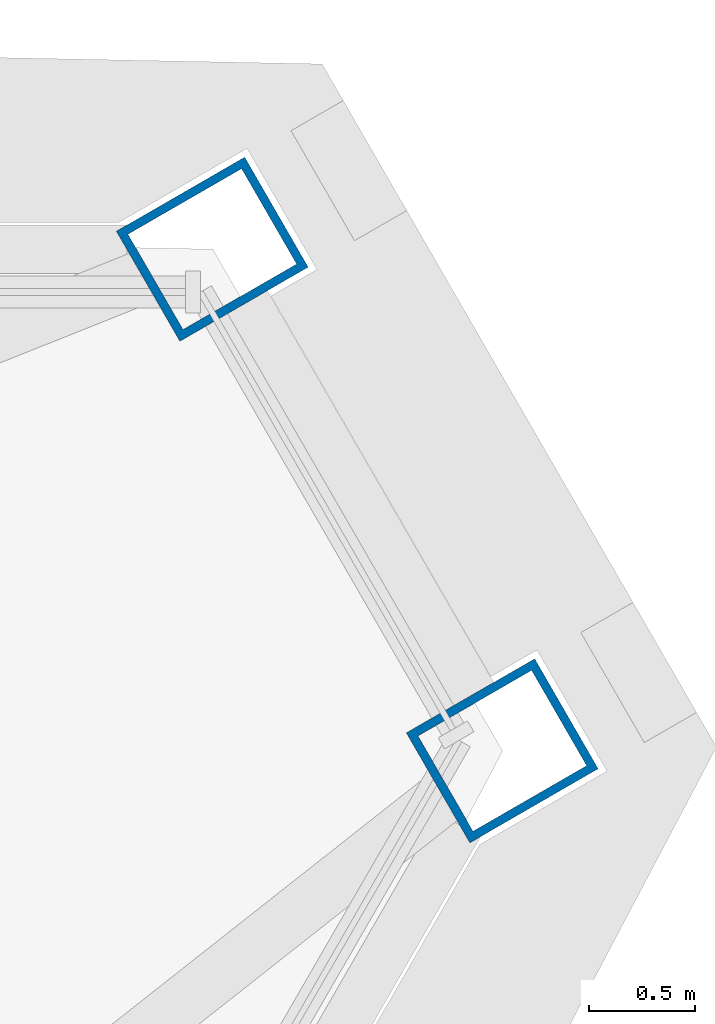
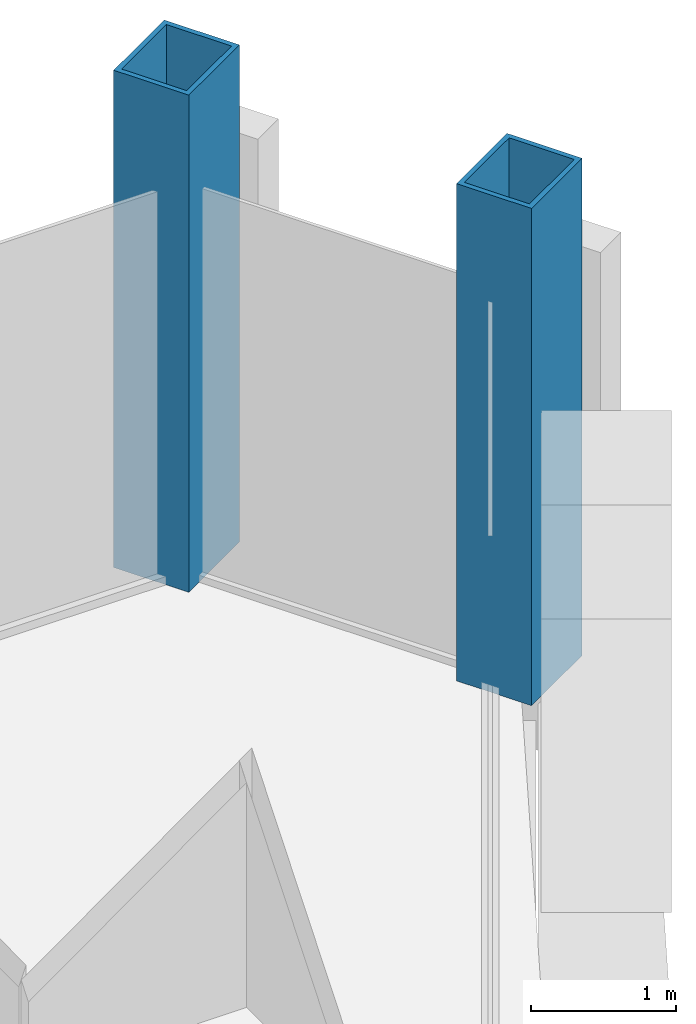
# One storey, part 2 of 13: 2 columns.
"""IFC4 building model written with IfcOpenShell, lengths in metres."""

import ifcopenshell
import ifcopenshell.guid

model = None  # the IFC model being written
_history = None  # IfcOwnerHistory: only IFC2X3 demands one
_inside = {}  # id of a spatial element -> (the spatial element, [elements in it])
_under = {}  # id of a project, library or spatial element -> (it, [spatial elements below it])
_declared = {}  # id of a project -> (the project, [libraries it declares])
_typed = {}  # id of a type object -> (the type object, [elements of that type])
_made_of = {}  # id of a material, layer set ... -> (it, [elements and type objects made of it])


def new_model(schema):
    """Start an empty IFC model of exactly this schema.

    Asked for "IFC4X3", IfcOpenShell would pick the latest addendum, in which some entities
    have other attributes; the version numbers below select the first issue.
    IFC2X3 requires an IfcOwnerHistory on every rooted entity: one is made here for all.
    """
    global model, _history
    if schema == "IFC4X3":
        model = ifcopenshell.file(schema_version=(4, 3, 0, 0))
    else:
        model = ifcopenshell.file(schema=schema)
    _inside.clear()
    _under.clear()
    _declared.clear()
    _typed.clear()
    _made_of.clear()
    _history = None
    if model.schema == "IFC2X3":
        org = make("IfcOrganization", Name="unknown")
        user = make(
            "IfcPersonAndOrganization",
            ThePerson=make("IfcPerson", FamilyName="unknown"),
            TheOrganization=org,
        )
        app = make(
            "IfcApplication",
            ApplicationDeveloper=org,
            Version="unknown",
            ApplicationFullName="unknown",
            ApplicationIdentifier="unknown",
        )
        _history = make(
            "IfcOwnerHistory",
            OwningUser=user,
            OwningApplication=app,
            ChangeAction="ADDED",
            CreationDate=0,
        )
    return model


def make(cls, **values):
    """One entity of the class cls with the attributes given. An attribute that is None is left unset."""
    return model.create_entity(
        cls, **{name: value for name, value in values.items() if value is not None}
    )


def rooted(cls, **values):
    """An entity with a GlobalId (a new one), such as an element, a storey or a relation."""
    return make(cls, GlobalId=ifcopenshell.guid.new(), OwnerHistory=_history, **values)


def si_unit(unit_type, name, prefix=None):
    """IfcSIUnit, for example si_unit("LENGTHUNIT", "METRE", prefix="MILLI")."""
    return make("IfcSIUnit", UnitType=unit_type, Prefix=prefix, Name=name)


def assignment(units):
    """IfcUnitAssignment: the units of a project."""
    return None if units is None else make("IfcUnitAssignment", Units=units)


def point(xyz):
    """IfcCartesianPoint."""
    return None if xyz is None else make("IfcCartesianPoint", Coordinates=xyz)


def direction(xyz):
    """IfcDirection."""
    return None if xyz is None else make("IfcDirection", DirectionRatios=xyz)


def frame(location, z_axis=None, x_axis=None):
    """IfcAxis2Placement3D, a coordinate frame: its origin and axes. An axis left out is left unset."""
    return make(
        "IfcAxis2Placement3D",
        Location=point(location),
        Axis=direction(z_axis),
        RefDirection=direction(x_axis),
    )


def frame_2d(location, x_axis=None):
    """IfcAxis2Placement2D, a coordinate frame in the plane: its origin and x axis."""
    return make(
        "IfcAxis2Placement2D", Location=point(location), RefDirection=direction(x_axis)
    )


def origin():
    """The frame at (0, 0, 0) with its axes left unset."""
    return frame((0.0, 0.0, 0.0))


def origin_2d():
    """The frame at (0, 0) in the plane with its x axis left unset."""
    return frame_2d((0.0, 0.0))


def place(relative_to, where):
    """IfcLocalPlacement: puts the frame where relative to a parent placement (None: the world)."""
    return make(
        "IfcLocalPlacement", PlacementRelTo=relative_to, RelativePlacement=where
    )


def context(
    kind, dimensions, precision=None, world=None, true_north=None, identifier=None
):
    """IfcGeometricRepresentationContext, for example the 3D "Model" context."""
    return make(
        "IfcGeometricRepresentationContext",
        ContextIdentifier=identifier,
        ContextType=kind,
        CoordinateSpaceDimension=dimensions,
        Precision=precision,
        WorldCoordinateSystem=world,
        TrueNorth=true_north,
    )


def subcontext(parent, identifier, kind, view, scale=None):
    """IfcGeometricRepresentationSubContext, for example "Body" below "Model"."""
    return make(
        "IfcGeometricRepresentationSubContext",
        ContextIdentifier=identifier,
        ContextType=kind,
        ParentContext=parent,
        TargetScale=scale,
        TargetView=view,
    )


def project(units=None, contexts=None):
    """IfcProject with its units and contexts."""
    return rooted(
        "IfcProject",
        Name="project",
        RepresentationContexts=contexts,
        UnitsInContext=assignment(units),
    )


def spatial(cls, under=None, at=None, **own):
    """A site, building, storey or space (cls), placed at a placement, below another one or the project."""
    s = rooted(cls, ObjectPlacement=at, **own)
    if under is not None:
        _under.setdefault(under.id(), (under, []))[1].append(s)
    return s


def profile(cls, at=None, kind="AREA", **sizes):
    """A parametric profile (cls). Its sizes go by their IFC names, for example OverallWidth=200.0."""
    return make(cls, ProfileType=kind, Position=at, **sizes)


def hollow_rectangle(**sizes):
    """IfcRectangleHollowProfileDef."""
    return profile("IfcRectangleHollowProfileDef", **sizes)


def extrude(swept, where, along, depth):
    """IfcExtrudedAreaSolid: the profile swept, set in the frame where, extruded along a direction by depth."""
    return make(
        "IfcExtrudedAreaSolid",
        SweptArea=swept,
        Position=where,
        ExtrudedDirection=direction(along),
        Depth=depth,
    )


def shape(context_of_items, identifier, shape_type, items):
    """IfcShapeRepresentation: the items that make up one representation, for example the "Body"."""
    return make(
        "IfcShapeRepresentation",
        ContextOfItems=context_of_items,
        RepresentationIdentifier=identifier,
        RepresentationType=shape_type,
        Items=items,
    )


def material(Name=None, Category=None):
    """IfcMaterial."""
    return make("IfcMaterial", Name=Name, Category=Category)


def material_profile(
    of_material, cross_section, Name=None, Category=None, Priority=None
):
    """IfcMaterialProfile: a cross section and its material."""
    return make(
        "IfcMaterialProfile",
        Name=Name,
        Material=of_material,
        Profile=cross_section,
        Priority=Priority,
        Category=Category,
    )


def profile_set(profiles, Name=None, composite=None):
    """IfcMaterialProfileSet."""
    return make(
        "IfcMaterialProfileSet",
        Name=Name,
        MaterialProfiles=profiles,
        CompositeProfile=composite,
    )


def made_of(thing, what):
    """Note that an element or type object is made of a material, layer set ...; save() writes the relation."""
    if what is not None:
        _made_of.setdefault(what.id(), (what, []))[1].append(thing)
    return thing


def type_object(cls, material=None, **own):
    """A type object (cls), such as IfcWallType, which elements share."""
    return made_of(rooted(cls, **own), material)


def element(
    cls,
    number,
    at=None,
    inside=None,
    cuts=None,
    type_object=None,
    material=None,
    context=None,
    identifier="Body",
    shape_type=None,
    held_by="IfcProductDefinitionShape",
    body=None,
    shapes=None,
    **own,
):
    """One element of the class cls, such as IfcWall. Its Tag is "e" and its number.

    at: its placement. inside: the storey or other place that contains it. cuts: it is an
    opening in that element (IfcRelVoidsElement). A single representation is given by context,
    identifier, shape_type and body (its items); several are given by shapes. held_by: the class
    of the entity that holds the representations. save() writes the other relations.
    """
    e = rooted(cls, Tag="e%d" % number, ObjectPlacement=at, **own)
    if body is not None:
        shapes = [shape(context, identifier, shape_type, body)]
    if shapes is not None:
        e.Representation = make(held_by, Representations=shapes)
    if inside is not None:
        _inside.setdefault(inside.id(), (inside, []))[1].append(e)
    if cuts is not None:
        rooted(
            "IfcRelVoidsElement", RelatingBuildingElement=cuts, RelatedOpeningElement=e
        )
    if type_object is not None:
        _typed.setdefault(type_object.id(), (type_object, []))[1].append(e)
    return made_of(e, material)


def aggregate(whole, parts):
    """IfcRelAggregates: a whole, such as a stair, and the parts it consists of."""
    return rooted("IfcRelAggregates", RelatingObject=whole, RelatedObjects=parts)


def save(model, path):
    """Write the relations noted so far, then the file.

    IfcRelAggregates (storeys below a building ...), IfcRelContainedInSpatialStructure (elements
    in a storey), IfcRelDefinesByType, IfcRelAssociatesMaterial and IfcRelDeclares: one each for
    every whole, place, type object, material and project.
    """
    for whole, parts in _under.values():
        aggregate(whole, parts)
    for where, things in _inside.values():
        rooted(
            "IfcRelContainedInSpatialStructure",
            RelatedElements=things,
            RelatingStructure=where,
        )
    for kind, things in _typed.values():
        rooted("IfcRelDefinesByType", RelatedObjects=things, RelatingType=kind)
    for what, things in _made_of.values():
        rooted("IfcRelAssociatesMaterial", RelatedObjects=things, RelatingMaterial=what)
    for by, libraries in _declared.values():
        rooted("IfcRelDeclares", RelatingContext=by, RelatedDefinitions=libraries)
    model.write(path)


model = new_model("IFC4")

# Units and contexts
model_context = context("Model", 3, precision=1e-05, world=origin(), true_north=direction((0.0, 1.0)))
body_context = subcontext(model_context, "Body", "Model", "MODEL_VIEW")
ifc_project = project(units=[si_unit("LENGTHUNIT", "METRE"), si_unit("AREAUNIT", "SQUARE_METRE"), si_unit("VOLUMEUNIT", "CUBIC_METRE"), si_unit("PLANEANGLEUNIT", "RADIAN"), si_unit("MASSUNIT", "GRAM", prefix="KILO")], contexts=[model_context])

# Site, building, storey
site_placement = place(None, origin())
site = spatial("IfcSite", under=ifc_project, at=site_placement, CompositionType="ELEMENT")
building_placement = place(site_placement, origin())
building = spatial("IfcBuilding", under=site, at=building_placement, Name="Verrane Prism Tower", CompositionType="ELEMENT")
storey_placement = place(building_placement, frame((0.0, 0.0, 321.0)))
storey = spatial("IfcBuildingStorey", under=building, at=storey_placement, Name="L81", CompositionType="ELEMENT", Elevation=321.0)

# Columns
ifc_material = material(Name="Steel A572 Grade 50", Category="steel")
ifc_material_profile = material_profile(ifc_material, hollow_rectangle(XDim=0.60009765625, YDim=0.699951171875, WallThickness=0.0400390625, at=origin_2d()), Name="BOX 700x600x40")
ifc_profile_set = profile_set([ifc_material_profile], Name="Steel A572 Grade 50")
column_type = type_object("IfcColumnType", Name="Megacolumn BOX 700x600x40", PredefinedType="COLUMN", material=ifc_profile_set)
for number, where, z_axis, x_axis, name in (
    (1, (19.169921875, 12.64990234375, 0.0), (0.0, 0.0, 1.0), (0.5, -0.866025403784, 0.0), "Megacolumn MC-NE.b L81"),
    (2, (20.5400390625, 10.280029296875, 0.0), (0.0, 0.0, 1.0), (0.5, -0.866025403784, 0.0), "Megacolumn MC-NE.a L81"),
):
    element("IfcColumn", number, at=place(storey_placement, frame(where, z_axis=z_axis, x_axis=x_axis)), inside=storey, type_object=column_type, Name=name, PredefinedType="COLUMN", context=body_context, shape_type="SweptSolid", body=[
        extrude(hollow_rectangle(XDim=0.60009765625, YDim=0.699951171875, WallThickness=0.0400390625, at=origin_2d()), origin(), (0.0, 0.0, 1.0), 4.199951171875),
    ])

save(model, "model.ifc")
